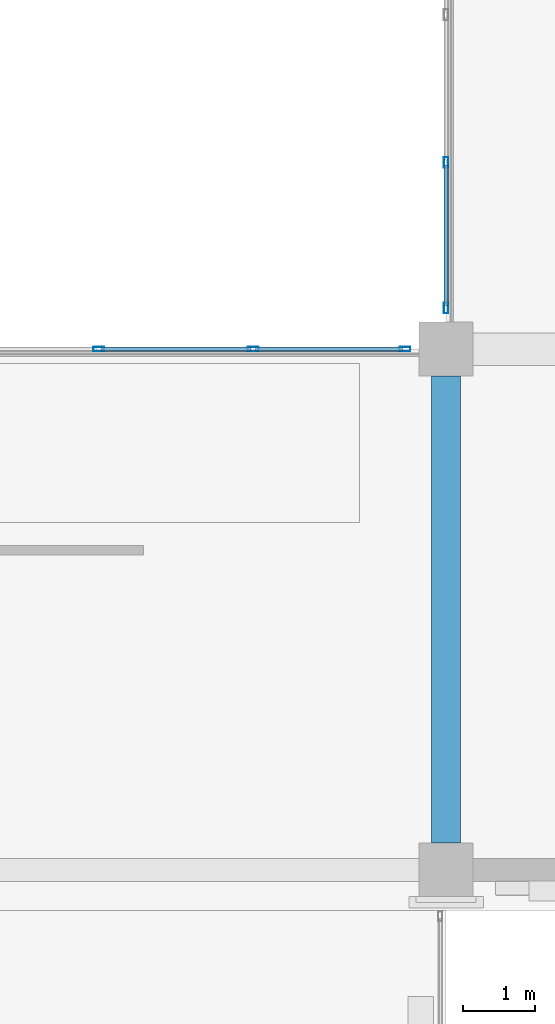
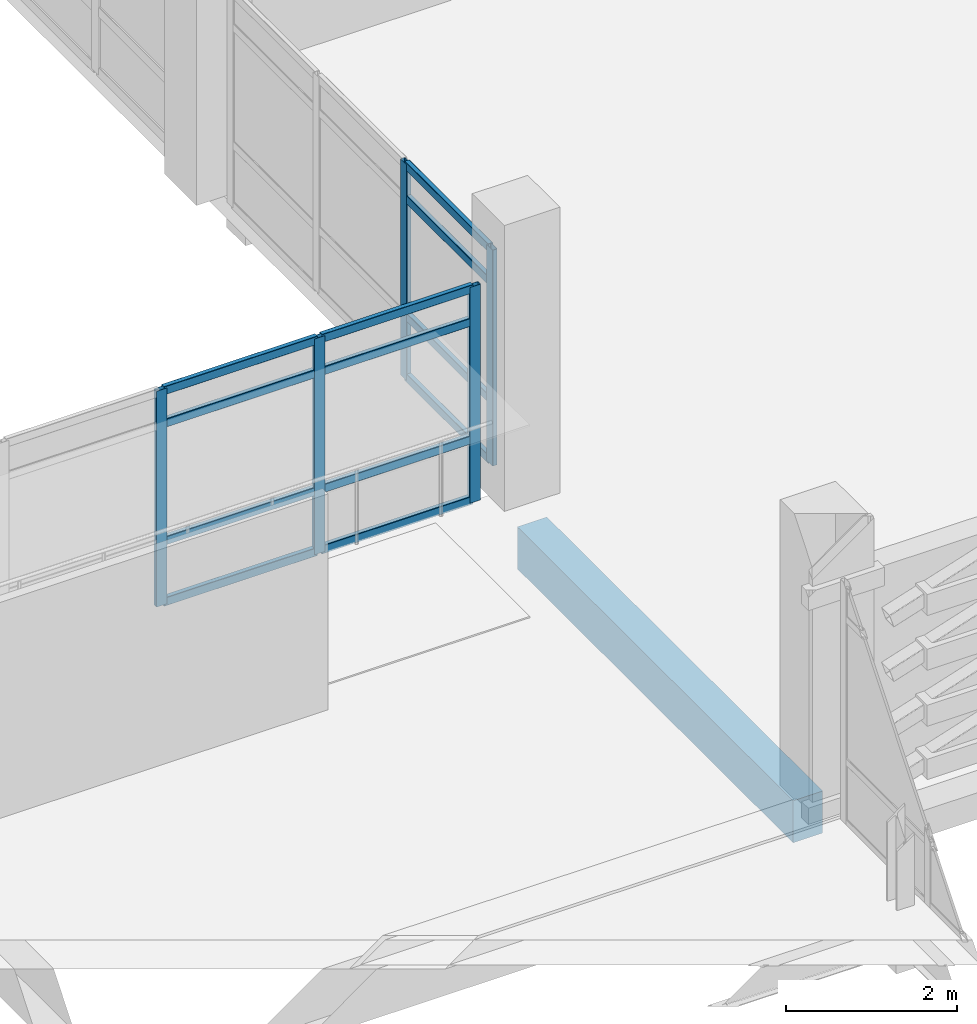
# One storey, part 84 of 180: 17 members, 1 beam, 2 elements without a shape of their own.
"""IFC4 building model written with IfcOpenShell, lengths in metres."""

from ifc_helpers import new_model, si_unit, direction, frame, origin, origin_2d, place, context, subcontext, project, spatial, rectangle, hollow_rectangle, extrude, material, layer, layer_set, material_profile, profile_set, type_object, element, aggregate, save


model = new_model("IFC4")

# Units and contexts
model_context = context("Model", 3, precision=1e-05, world=origin(), true_north=direction((0.0, 1.0)))
body_context = subcontext(model_context, "Body", "Model", "MODEL_VIEW")
ifc_project = project(units=[si_unit("LENGTHUNIT", "METRE"), si_unit("AREAUNIT", "SQUARE_METRE"), si_unit("VOLUMEUNIT", "CUBIC_METRE"), si_unit("PLANEANGLEUNIT", "RADIAN"), si_unit("MASSUNIT", "GRAM", prefix="KILO")], contexts=[model_context])

# Site, building, storey
site_placement = place(None, origin())
site = spatial("IfcSite", under=ifc_project, at=site_placement, CompositionType="ELEMENT")
building_placement = place(site_placement, origin())
building = spatial("IfcBuilding", under=site, at=building_placement, Name="Asteropetra Specialist Clinic", CompositionType="ELEMENT")
storey_placement = place(building_placement, frame((0.0, 0.0, 4.419921875)))
storey = spatial("IfcBuildingStorey", under=building, at=storey_placement, Name="L01", CompositionType="ELEMENT", Elevation=4.419921875)

# Beam
ifc_material_1 = material(Name="Concrete C35/45", Category="concrete")
ifc_material_profile_1 = material_profile(ifc_material_1, rectangle(XDim=0.39990234375, YDim=0.60009765625, at=origin_2d()), Name="RCB 400x600")
ifc_profile_set_1 = profile_set([ifc_material_profile_1], Name="Concrete C35/45")
beam_type = type_object("IfcBeamType", Name="BM-RC400x600", PredefinedType="BEAM", material=ifc_profile_set_1)
beam_placement = place(storey_placement, frame((28.800048828125, 69.97509765625, -0.579833984375), z_axis=(0.0, 1.0, 0.0), x_axis=(-1.0, 0.0, 0.0)))
element("IfcBeam", 1, at=beam_placement, inside=storey, type_object=beam_type, Name="Beam BBM08-0673", PredefinedType="BEAM", context=body_context, shape_type="SweptSolid", body=[
    extrude(rectangle(XDim=0.39990234375, YDim=0.60009765625, at=origin_2d()), origin(), (0.0, 0.0, 1.0), 6.449951171875),
])

# Curtain wall, members
ifc_material_2 = material(Name="Aluminium and low-E glass", Category="aluminium")
ifc_layer_1 = layer(ifc_material_2, 0.135009765625)
ifc_layer_set_1 = layer_set([ifc_layer_1], Name="Aluminium and low-E glass")
curtain_wall_type_1 = type_object("IfcCurtainWallType", Name="CW-SYS-03", PredefinedType="USERDEFINED", material=ifc_layer_set_1)
curtain_wall_1_placement = place(storey_placement, origin())
curtain_wall_1 = element("IfcCurtainWall", 2, at=curtain_wall_1_placement, inside=storey, type_object=curtain_wall_type_1, Name="Curtain Wall CW-019", ObjectType="UNITISED CURTAIN WALL", PredefinedType="USERDEFINED")
ifc_material_3 = material(Name="Aluminium 6063-T6", Category="aluminium")
ifc_material_profile_2 = material_profile(ifc_material_3, hollow_rectangle(XDim=0.06494140625, YDim=0.14990234375, WallThickness=0.00390625, InnerFilletRadius=0.00390625, OuterFilletRadius=0.008056640625, at=origin_2d()), Name="MUL 150x65x4.0")
ifc_profile_set_2 = profile_set([ifc_material_profile_2], Name="Aluminium 6063-T6")
member_type_1 = type_object("IfcMemberType", Name="CWM-150x65", PredefinedType="MULLION", material=ifc_profile_set_2)
member_1_placement = place(storey_placement, frame((24.0, 76.800048828125, 0.0), z_axis=(0.0, 0.0, 1.0), x_axis=(0.0, 1.0, 0.0)))
member_1 = element("IfcMember", 3, at=member_1_placement, type_object=member_type_1, Name="CW-019 mullion 3", PredefinedType="MULLION", context=body_context, shape_type="SweptSolid", body=[
    extrude(hollow_rectangle(XDim=0.06494140625, YDim=0.14990234375, WallThickness=0.00390625, InnerFilletRadius=0.00390625, OuterFilletRadius=0.008056640625, at=origin_2d()), origin(), (0.0, 0.0, 1.0), 3.080078125),
])
member_2_placement = place(storey_placement, frame((26.132568359375, 76.800048828125, 0.0), z_axis=(0.0, 0.0, 1.0), x_axis=(0.0, 1.0, 0.0)))
member_2 = element("IfcMember", 4, at=member_2_placement, type_object=member_type_1, Name="CW-019 mullion 4", PredefinedType="MULLION", context=body_context, shape_type="SweptSolid", body=[
    extrude(hollow_rectangle(XDim=0.06494140625, YDim=0.14990234375, WallThickness=0.00390625, InnerFilletRadius=0.00390625, OuterFilletRadius=0.008056640625, at=origin_2d()), origin(), (0.0, 0.0, 1.0), 3.080078125),
])
member_3_placement = place(storey_placement, frame((28.232421875, 76.800048828125, 0.0), z_axis=(0.0, 0.0, 1.0), x_axis=(0.0, 1.0, 0.0)))
member_3 = element("IfcMember", 5, at=member_3_placement, type_object=member_type_1, Name="CW-019 mullion 5", PredefinedType="MULLION", context=body_context, shape_type="SweptSolid", body=[
    extrude(hollow_rectangle(XDim=0.06494140625, YDim=0.14990234375, WallThickness=0.00390625, InnerFilletRadius=0.00390625, OuterFilletRadius=0.008056640625, at=origin_2d()), origin(), (0.0, 0.0, 1.0), 3.080078125),
])

ifc_material_4 = material(Name="Aluminium and low-E glass", Category="aluminium")
ifc_layer_2 = layer(ifc_material_4, 0.14990234375)
ifc_layer_set_2 = layer_set([ifc_layer_2], Name="Aluminium and low-E glass")
curtain_wall_type_2 = type_object("IfcCurtainWallType", Name="CW-SYS-05", PredefinedType="USERDEFINED", material=ifc_layer_set_2)
curtain_wall_2_placement = place(storey_placement, origin())
curtain_wall_2 = element("IfcCurtainWall", 6, at=curtain_wall_2_placement, inside=storey, type_object=curtain_wall_type_2, Name="Curtain Wall CW-022", ObjectType="UNITISED CURTAIN WALL", PredefinedType="USERDEFINED")
member_4_placement = place(storey_placement, frame((28.800048828125, 77.367431640625, 0.0), z_axis=(0.0, 0.0, 1.0), x_axis=(-1.0, 0.0, 0.0)))
member_4 = element("IfcMember", 7, at=member_4_placement, type_object=member_type_1, Name="CW-022 mullion 1", PredefinedType="MULLION", context=body_context, shape_type="SweptSolid", body=[
    extrude(hollow_rectangle(XDim=0.06494140625, YDim=0.14990234375, WallThickness=0.00390625, InnerFilletRadius=0.00390625, OuterFilletRadius=0.008056640625, at=origin_2d()), origin(), (0.0, 0.0, 1.0), 3.080078125),
])
member_5_placement = place(storey_placement, frame((28.800048828125, 79.37841796875, 0.0), z_axis=(0.0, 0.0, 1.0), x_axis=(-1.0, 0.0, 0.0)))
member_5 = element("IfcMember", 8, at=member_5_placement, type_object=member_type_1, Name="CW-022 mullion 2", PredefinedType="MULLION", context=body_context, shape_type="SweptSolid", body=[
    extrude(hollow_rectangle(XDim=0.06494140625, YDim=0.14990234375, WallThickness=0.00390625, InnerFilletRadius=0.00390625, OuterFilletRadius=0.008056640625, at=origin_2d()), origin(), (0.0, 0.0, 1.0), 3.080078125),
])

# Member
ifc_material_5 = material(Name="Aluminium 6063-T6", Category="aluminium")
ifc_material_profile_3 = material_profile(ifc_material_5, hollow_rectangle(XDim=0.06494140625, YDim=0.1201171875, WallThickness=0.00390625, InnerFilletRadius=0.00390625, OuterFilletRadius=0.008056640625, at=origin_2d()), Name="TRN 120x65x4.0")
ifc_profile_set_3 = profile_set([ifc_material_profile_3], Name="Aluminium 6063-T6")
member_type_2 = type_object("IfcMemberType", Name="CWT-120x65", PredefinedType="USERDEFINED", material=ifc_profile_set_3)
member_6_placement = place(storey_placement, frame((24.032470703125, 76.800048828125, 0.032470703125), z_axis=(1.0, 0.0, 0.0), x_axis=(0.0, 1.0, 0.0)))
member_6 = element("IfcMember", 9, at=member_6_placement, type_object=member_type_2, Name="CW-019 transom 3.1", ObjectType="TRANSOM", PredefinedType="USERDEFINED", context=body_context, shape_type="SweptSolid", body=[
    extrude(hollow_rectangle(XDim=0.06494140625, YDim=0.1201171875, WallThickness=0.00390625, InnerFilletRadius=0.00390625, OuterFilletRadius=0.008056640625, at=origin_2d()), origin(), (0.0, 0.0, 1.0), 2.067626953125),
])

member_7_placement = place(storey_placement, frame((24.032470703125, 76.800048828125, 0.900146484375), z_axis=(1.0, 0.0, 0.0), x_axis=(0.0, 1.0, 0.0)))
member_7 = element("IfcMember", 10, at=member_7_placement, type_object=member_type_2, Name="CW-019 transom 3.2", ObjectType="TRANSOM", PredefinedType="USERDEFINED", context=body_context, shape_type="SweptSolid", body=[
    extrude(hollow_rectangle(XDim=0.06494140625, YDim=0.1201171875, WallThickness=0.00390625, InnerFilletRadius=0.00390625, OuterFilletRadius=0.008056640625, at=origin_2d()), origin(), (0.0, 0.0, 1.0), 2.067626953125),
])

member_8_placement = place(storey_placement, frame((24.032470703125, 76.800048828125, 2.580078125), z_axis=(1.0, 0.0, 0.0), x_axis=(0.0, 1.0, 0.0)))
member_8 = element("IfcMember", 11, at=member_8_placement, type_object=member_type_2, Name="CW-019 transom 3.3", ObjectType="TRANSOM", PredefinedType="USERDEFINED", context=body_context, shape_type="SweptSolid", body=[
    extrude(hollow_rectangle(XDim=0.06494140625, YDim=0.1201171875, WallThickness=0.00390625, InnerFilletRadius=0.00390625, OuterFilletRadius=0.008056640625, at=origin_2d()), origin(), (0.0, 0.0, 1.0), 2.067626953125),
])

member_9_placement = place(storey_placement, frame((24.032470703125, 76.800048828125, 3.047607421875), z_axis=(1.0, 0.0, 0.0), x_axis=(0.0, 1.0, 0.0)))
member_9 = element("IfcMember", 12, at=member_9_placement, type_object=member_type_2, Name="CW-019 transom 3.4", ObjectType="TRANSOM", PredefinedType="USERDEFINED", context=body_context, shape_type="SweptSolid", body=[
    extrude(hollow_rectangle(XDim=0.06494140625, YDim=0.1201171875, WallThickness=0.00390625, InnerFilletRadius=0.00390625, OuterFilletRadius=0.008056640625, at=origin_2d()), origin(), (0.0, 0.0, 1.0), 2.067626953125),
])

member_10_placement = place(storey_placement, frame((26.1650390625, 76.800048828125, 0.032470703125), z_axis=(1.0, 0.0, 0.0), x_axis=(0.0, 1.0, 0.0)))
member_10 = element("IfcMember", 13, at=member_10_placement, type_object=member_type_2, Name="CW-019 transom 4.1", ObjectType="TRANSOM", PredefinedType="USERDEFINED", context=body_context, shape_type="SweptSolid", body=[
    extrude(hollow_rectangle(XDim=0.06494140625, YDim=0.1201171875, WallThickness=0.00390625, InnerFilletRadius=0.00390625, OuterFilletRadius=0.008056640625, at=origin_2d()), origin(), (0.0, 0.0, 1.0), 2.034912109375),
])

member_11_placement = place(storey_placement, frame((26.1650390625, 76.800048828125, 0.900146484375), z_axis=(1.0, 0.0, 0.0), x_axis=(0.0, 1.0, 0.0)))
member_11 = element("IfcMember", 14, at=member_11_placement, type_object=member_type_2, Name="CW-019 transom 4.2", ObjectType="TRANSOM", PredefinedType="USERDEFINED", context=body_context, shape_type="SweptSolid", body=[
    extrude(hollow_rectangle(XDim=0.06494140625, YDim=0.1201171875, WallThickness=0.00390625, InnerFilletRadius=0.00390625, OuterFilletRadius=0.008056640625, at=origin_2d()), origin(), (0.0, 0.0, 1.0), 2.034912109375),
])

member_12_placement = place(storey_placement, frame((26.1650390625, 76.800048828125, 2.580078125), z_axis=(1.0, 0.0, 0.0), x_axis=(0.0, 1.0, 0.0)))
member_12 = element("IfcMember", 15, at=member_12_placement, type_object=member_type_2, Name="CW-019 transom 4.3", ObjectType="TRANSOM", PredefinedType="USERDEFINED", context=body_context, shape_type="SweptSolid", body=[
    extrude(hollow_rectangle(XDim=0.06494140625, YDim=0.1201171875, WallThickness=0.00390625, InnerFilletRadius=0.00390625, OuterFilletRadius=0.008056640625, at=origin_2d()), origin(), (0.0, 0.0, 1.0), 2.034912109375),
])

member_13_placement = place(storey_placement, frame((26.1650390625, 76.800048828125, 3.047607421875), z_axis=(1.0, 0.0, 0.0), x_axis=(0.0, 1.0, 0.0)))
member_13 = element("IfcMember", 16, at=member_13_placement, type_object=member_type_2, Name="CW-019 transom 4.4", ObjectType="TRANSOM", PredefinedType="USERDEFINED", context=body_context, shape_type="SweptSolid", body=[
    extrude(hollow_rectangle(XDim=0.06494140625, YDim=0.1201171875, WallThickness=0.00390625, InnerFilletRadius=0.00390625, OuterFilletRadius=0.008056640625, at=origin_2d()), origin(), (0.0, 0.0, 1.0), 2.034912109375),
])

aggregate(curtain_wall_1, [member_1, member_2, member_3, member_6, member_7, member_8, member_9, member_10, member_11, member_12, member_13])

member_14_placement = place(storey_placement, frame((28.800048828125, 77.39990234375, 0.032470703125), z_axis=(0.0, 1.0, 0.0), x_axis=(-1.0, 0.0, 0.0)))
member_14 = element("IfcMember", 17, at=member_14_placement, type_object=member_type_2, Name="CW-022 transom 1.1", ObjectType="TRANSOM", PredefinedType="USERDEFINED", context=body_context, shape_type="SweptSolid", body=[
    extrude(hollow_rectangle(XDim=0.06494140625, YDim=0.1201171875, WallThickness=0.00390625, InnerFilletRadius=0.00390625, OuterFilletRadius=0.008056640625, at=origin_2d()), origin(), (0.0, 0.0, 1.0), 1.946044921875),
])

member_15_placement = place(storey_placement, frame((28.800048828125, 77.39990234375, 0.900146484375), z_axis=(0.0, 1.0, 0.0), x_axis=(-1.0, 0.0, 0.0)))
member_15 = element("IfcMember", 18, at=member_15_placement, type_object=member_type_2, Name="CW-022 transom 1.2", ObjectType="TRANSOM", PredefinedType="USERDEFINED", context=body_context, shape_type="SweptSolid", body=[
    extrude(hollow_rectangle(XDim=0.06494140625, YDim=0.1201171875, WallThickness=0.00390625, InnerFilletRadius=0.00390625, OuterFilletRadius=0.008056640625, at=origin_2d()), origin(), (0.0, 0.0, 1.0), 1.946044921875),
])

member_16_placement = place(storey_placement, frame((28.800048828125, 77.39990234375, 2.580078125), z_axis=(0.0, 1.0, 0.0), x_axis=(-1.0, 0.0, 0.0)))
member_16 = element("IfcMember", 19, at=member_16_placement, type_object=member_type_2, Name="CW-022 transom 1.3", ObjectType="TRANSOM", PredefinedType="USERDEFINED", context=body_context, shape_type="SweptSolid", body=[
    extrude(hollow_rectangle(XDim=0.06494140625, YDim=0.1201171875, WallThickness=0.00390625, InnerFilletRadius=0.00390625, OuterFilletRadius=0.008056640625, at=origin_2d()), origin(), (0.0, 0.0, 1.0), 1.946044921875),
])

member_17_placement = place(storey_placement, frame((28.800048828125, 77.39990234375, 3.047607421875), z_axis=(0.0, 1.0, 0.0), x_axis=(-1.0, 0.0, 0.0)))
member_17 = element("IfcMember", 20, at=member_17_placement, type_object=member_type_2, Name="CW-022 transom 1.4", ObjectType="TRANSOM", PredefinedType="USERDEFINED", context=body_context, shape_type="SweptSolid", body=[
    extrude(hollow_rectangle(XDim=0.06494140625, YDim=0.1201171875, WallThickness=0.00390625, InnerFilletRadius=0.00390625, OuterFilletRadius=0.008056640625, at=origin_2d()), origin(), (0.0, 0.0, 1.0), 1.946044921875),
])

aggregate(curtain_wall_2, [member_4, member_5, member_14, member_15, member_16, member_17])

save(model, "model.ifc")
